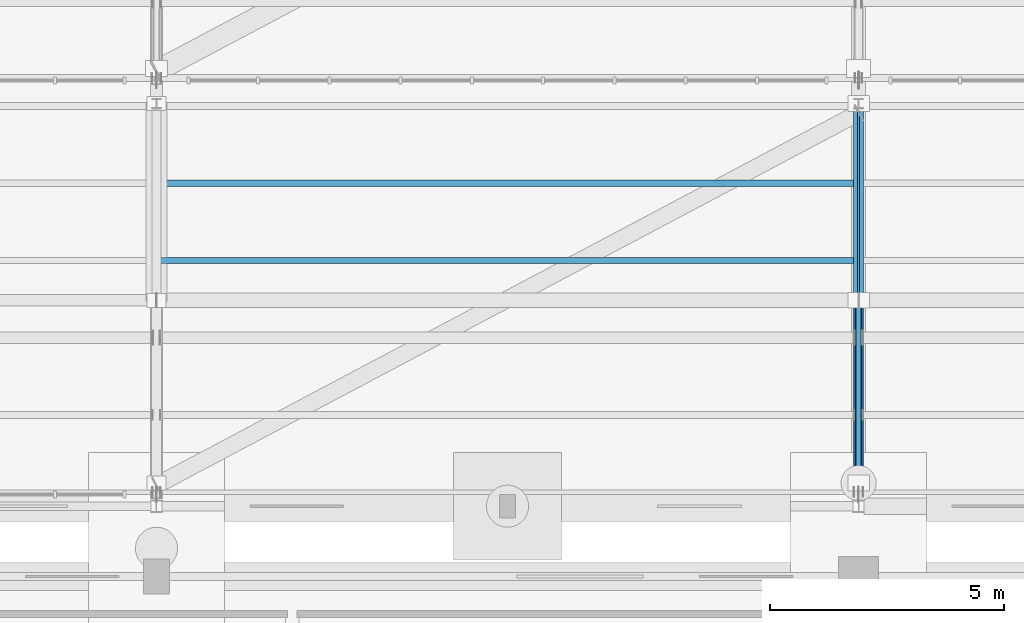
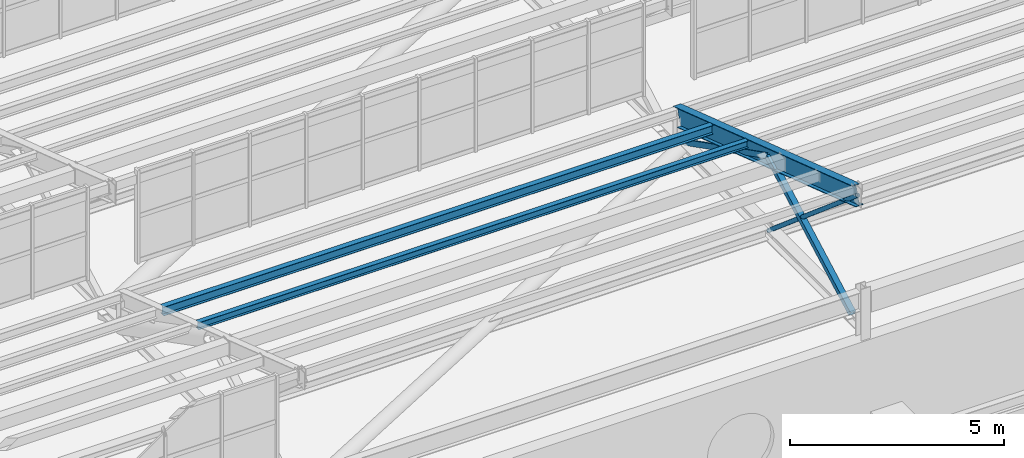
# One storey, part 41 of 285: 3 beams, 3 members.
"""IFC4 building model written with IfcOpenShell, lengths in metres."""

from ifc_helpers import new_model, si_unit, direction, frame, origin, origin_2d, place, context, subcontext, project, spatial, hollow_rectangle, hollow_circle, i_section, extrude, material, material_profile, profile_set, type_object, element, save


model = new_model("IFC4")

# Units and contexts
model_context = context("Model", 3, precision=1e-05, world=origin(), true_north=direction((0.0, 1.0)))
body_context = subcontext(model_context, "Body", "Model", "MODEL_VIEW")
ifc_project = project(units=[si_unit("LENGTHUNIT", "METRE"), si_unit("AREAUNIT", "SQUARE_METRE"), si_unit("VOLUMEUNIT", "CUBIC_METRE"), si_unit("PLANEANGLEUNIT", "RADIAN"), si_unit("MASSUNIT", "GRAM", prefix="KILO")], contexts=[model_context])

# Site, building, storey
site_placement = place(None, origin())
site = spatial("IfcSite", under=ifc_project, at=site_placement, CompositionType="ELEMENT")
building_placement = place(site_placement, origin())
building = spatial("IfcBuilding", under=site, at=building_placement, Name="Solanera Park Tramway Depot", CompositionType="ELEMENT")
storey_placement = place(building_placement, origin())
storey = spatial("IfcBuildingStorey", under=building, at=storey_placement, Name="L00", CompositionType="ELEMENT", Elevation=0.0)

# Member
ifc_material_1 = material(Name="Steel AS/NZS 1163 Grade C350L0", Category="steel")
ifc_material_profile_1 = material_profile(ifc_material_1, hollow_rectangle(XDim=0.14990234375, YDim=0.14990234375, WallThickness=0.006103515625, at=origin_2d()), Name="150x150x6.0 SHS")
ifc_profile_set_1 = profile_set([ifc_material_profile_1], Name="Steel AS/NZS 1163 Grade C350L0")
member_type_1 = type_object("IfcMemberType", Name="Roof Gantry Compression Strut 150x150x6.0 SHS", PredefinedType="STRUT", material=ifc_profile_set_1)
member_1_placement = place(storey_placement, frame((60.0, 56.0, 6.5), z_axis=(0.0, 0.877666599941, 0.479271675929), x_axis=(-1.0, 0.0, 0.0)))
element("IfcMember", 1, at=member_1_placement, inside=storey, type_object=member_type_1, Name="Sawtooth ROOF TRUSS Strut 150x150x6.0 SHS #0018", PredefinedType="STRUT", context=body_context, shape_type="SweptSolid", body=[
    extrude(hollow_rectangle(XDim=0.14990234375, YDim=0.14990234375, WallThickness=0.006103515625, at=origin_2d()), origin(), (0.0, 0.0, 1.0), 4.443603515625),
])

# Beams
ifc_material_2 = material(Name="Steel AS/NZS 3679.1 Grade 350", Category="steel")
ifc_material_profile_2 = material_profile(ifc_material_2, i_section(OverallWidth=0.209228515625, OverallDepth=0.532958984375, WebThickness=0.01025390625, FlangeThickness=0.015625, at=origin_2d()), Name="530UB92.4")
ifc_profile_set_2 = profile_set([ifc_material_profile_2], Name="Steel AS/NZS 3679.1 Grade 350")
beam_type_1 = type_object("IfcBeamType", Name="Steel Beam 530UB92.4", PredefinedType="BEAM", material=ifc_profile_set_2)
beam_1_placement = place(storey_placement, frame((60.0, 55.75, 10.018310546875), z_axis=(0.0, 0.948322229475, -0.317308917435), x_axis=(-1.0, 0.0, 0.0)))
element("IfcBeam", 2, at=beam_1_placement, inside=storey, type_object=beam_type_1, Name="Sawtooth ROOF TRUSS Top Rafter 530UB92.4 B01-T4", PredefinedType="BEAM", context=body_context, shape_type="SweptSolid", body=[
    extrude(i_section(OverallWidth=0.209228515625, OverallDepth=0.532958984375, WebThickness=0.01025390625, FlangeThickness=0.015625, at=origin_2d()), origin(), (0.0, 0.0, 1.0), 8.80517578125),
])
ifc_material_3 = material(Name="Steel AS/NZS 3679.1 Grade 350", Category="steel")
ifc_material_profile_3 = material_profile(ifc_material_3, i_section(OverallWidth=0.13330078125, OverallDepth=0.203125, WebThickness=0.005859375, FlangeThickness=0.0078125, at=origin_2d()), Name="200UB25.4")
ifc_profile_set_3 = profile_set([ifc_material_profile_3], Name="Steel AS/NZS 3679.1 Grade 350")
beam_type_2 = type_object("IfcBeamType", Name="Steel Joist Purlin 200UB25.4", PredefinedType="JOIST", material=ifc_profile_set_3)
beam_2_placement = place(storey_placement, frame((45.087158203125, 60.75, 8.510009765625), z_axis=(1.0, 0.0, 0.0), x_axis=(0.0, 1.0, 0.0)))
element("IfcBeam", 3, at=beam_2_placement, inside=storey, type_object=beam_type_2, Name="Sawtooth Roof Purlin 200UB25.4 B01.4", PredefinedType="JOIST", context=body_context, shape_type="SweptSolid", body=[
    extrude(i_section(OverallWidth=0.13330078125, OverallDepth=0.203125, WebThickness=0.005859375, FlangeThickness=0.0078125, at=origin_2d()), origin(), (0.0, 0.0, 1.0), 14.816162109375),
])
ifc_material_4 = material(Name="Steel AS/NZS 3679.1 Grade 350", Category="steel")
ifc_material_profile_4 = material_profile(ifc_material_4, i_section(OverallWidth=0.14599609375, OverallDepth=0.251708984375, WebThickness=0.006103515625, FlangeThickness=0.008544921875, at=origin_2d()), Name="250UB31.4")
ifc_profile_set_4 = profile_set([ifc_material_profile_4], Name="Steel AS/NZS 3679.1 Grade 350")
beam_type_3 = type_object("IfcBeamType", Name="Steel Joist Purlin 250UB31.4", PredefinedType="JOIST", material=ifc_profile_set_4)
beam_3_placement = place(storey_placement, frame((45.087158203125, 62.39990234375, 7.931396484375), z_axis=(1.0, 0.0, 0.0), x_axis=(0.0, 1.0, 0.0)))
element("IfcBeam", 4, at=beam_3_placement, inside=storey, type_object=beam_type_3, Name="Sawtooth Roof Purlin 250UB31.4 B01.5", PredefinedType="JOIST", context=body_context, shape_type="SweptSolid", body=[
    extrude(i_section(OverallWidth=0.14599609375, OverallDepth=0.251708984375, WebThickness=0.006103515625, FlangeThickness=0.008544921875, at=origin_2d()), origin(), (0.0, 0.0, 1.0), 14.816162109375),
])

# Members
ifc_material_5 = material(Name="Steel AS/NZS 1163 Grade C350L0", Category="steel")
ifc_material_profile_5 = material_profile(ifc_material_5, hollow_circle(Radius=0.05712890625, WallThickness=0.0048828125, at=origin_2d()), Name="114.3x4.8 CHS")
ifc_profile_set_5 = profile_set([ifc_material_profile_5], Name="Steel AS/NZS 1163 Grade C350L0")
member_type_2 = type_object("IfcMemberType", Name="Truss and Frame Brace 114.3x4.8 CHS", PredefinedType="BRACE", material=ifc_profile_set_5)
member_2_placement = place(storey_placement, frame((60.0, 59.89990234375, 6.5), z_axis=(0.0, -0.762764662408, 0.646676170724), x_axis=(1.0, 0.0, 0.0)))
element("IfcMember", 5, at=member_2_placement, inside=storey, type_object=member_type_2, Name="Sawtooth ROOF TRUSS Web Brace 114.3x4.8 CHS #0016", PredefinedType="BRACE", context=body_context, shape_type="SweptSolid", body=[
    extrude(hollow_circle(Radius=0.05712890625, WallThickness=0.0048828125, at=origin_2d()), origin(), (0.0, 0.0, 1.0), 5.440673828125),
])
ifc_material_6 = material(Name="Steel AS/NZS 1163 Grade C350L0", Category="steel")
ifc_material_profile_6 = material_profile(ifc_material_6, hollow_rectangle(XDim=0.050048828125, YDim=0.14990234375, WallThickness=0.0048828125, at=origin_2d()), Name="150x50x5.0 RHS")
ifc_profile_set_6 = profile_set([ifc_material_profile_6], Name="Steel AS/NZS 1163 Grade C350L0")
member_type_3 = type_object("IfcMemberType", Name="Truss and Frame Brace 150x50x5.0 RHS", PredefinedType="BRACE", material=ifc_profile_set_6)
member_3_placement = place(storey_placement, frame((60.0, 64.10009765625, 6.5), z_axis=(0.0, -0.891903919885, 0.452224941476), x_axis=(1.0, 0.0, 0.0)))
element("IfcMember", 6, at=member_3_placement, inside=storey, type_object=member_type_3, Name="Sawtooth ROOF TRUSS Diagonal 150x50x5.0 RHS #0017", PredefinedType="BRACE", context=body_context, shape_type="SweptSolid", body=[
    extrude(hollow_rectangle(XDim=0.050048828125, YDim=0.14990234375, WallThickness=0.0048828125, at=origin_2d()), origin(), (0.0, 0.0, 1.0), 4.709228515625),
])

save(model, "model.ifc")
